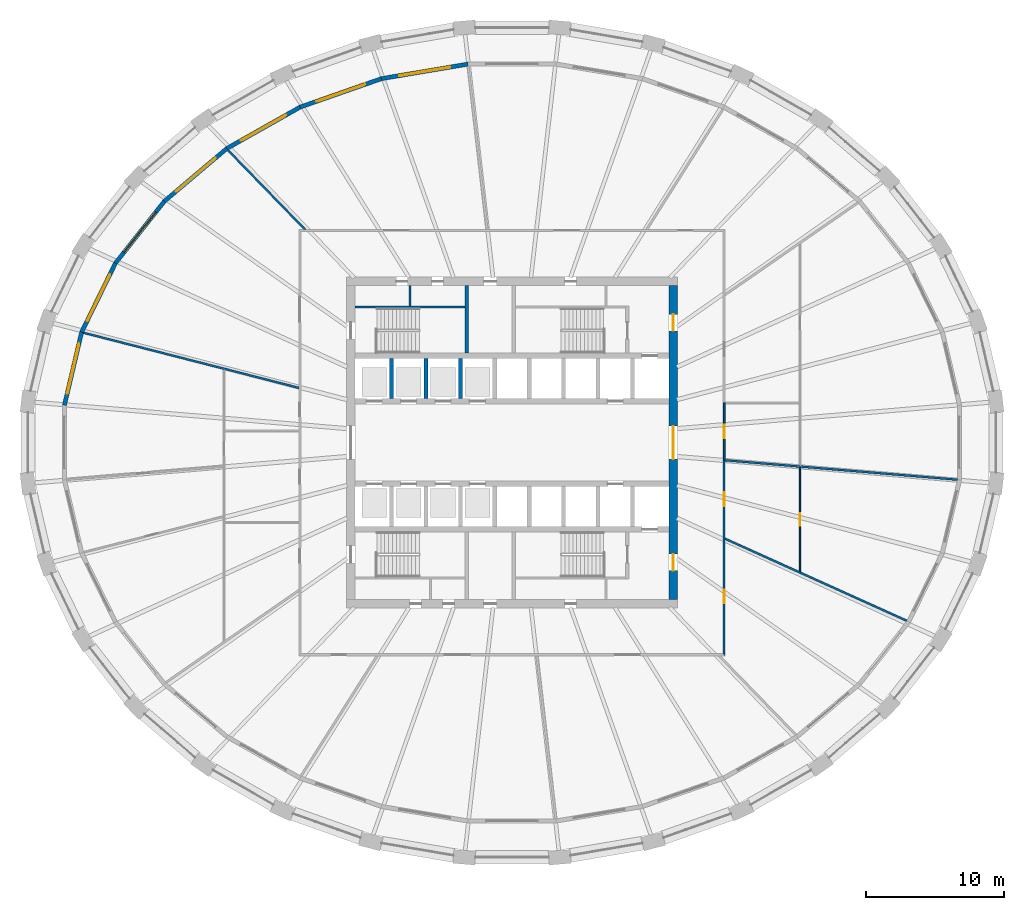
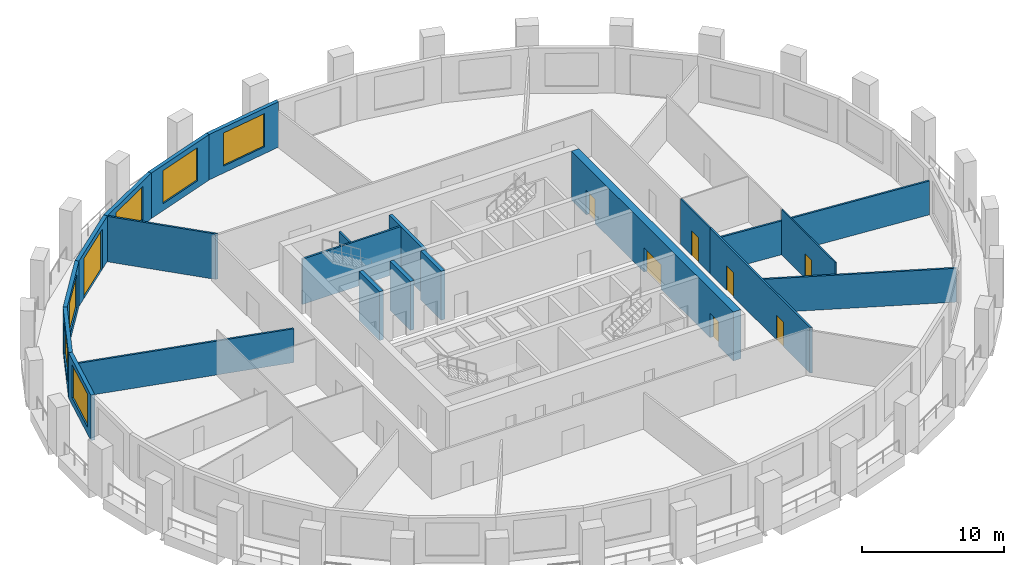
# One storey, part 5 of 10: 21 walls, 8 doors, 6 windows, 14 openings.
"""IFC4 building model written with IfcOpenShell, lengths in metres."""

from ifc_helpers import new_model, si_unit, direction, frame, frame_2d, origin, place, context, subcontext, project, spatial, polyline, rectangle, outline, extrude, material, layer, layer_set, type_object, element, fill, save


model = new_model("IFC4")

# Units and contexts
model_context = context("Model", 3, precision=1e-05, world=origin(), true_north=direction((0.0, 1.0)))
body_context = subcontext(model_context, "Body", "Model", "MODEL_VIEW")
ifc_project = project(units=[si_unit("LENGTHUNIT", "METRE"), si_unit("AREAUNIT", "SQUARE_METRE"), si_unit("VOLUMEUNIT", "CUBIC_METRE"), si_unit("PLANEANGLEUNIT", "RADIAN"), si_unit("MASSUNIT", "GRAM", prefix="KILO")], contexts=[model_context])

# Site, building, storey
site_placement = place(None, origin())
site = spatial("IfcSite", under=ifc_project, at=site_placement, CompositionType="ELEMENT")
building_placement = place(site_placement, origin())
building = spatial("IfcBuilding", under=site, at=building_placement, Name="Halqa Exchange Tower", CompositionType="ELEMENT")
storey_placement = place(building_placement, frame((0.0, 0.0, 104.5)))
storey = spatial("IfcBuildingStorey", under=building, at=storey_placement, Name="L23", CompositionType="ELEMENT", Elevation=104.5)

# Walls
ifc_material_1 = material(Name="Fire-rated gypsum board")
ifc_layer_1 = layer(ifc_material_1, 0.14990234375)
ifc_layer_set_1 = layer_set([ifc_layer_1], Name="Fire-rated gypsum board")
wall_type_1 = type_object("IfcWallType", Name="Fire partition EI 60 150", PredefinedType="PARTITIONING", material=ifc_layer_set_1)
wall_1_placement = place(storey_placement, frame((-31.089599609375, 7.9658203125, 0.0), z_axis=(0.0, 0.0, 1.0), x_axis=(0.968771016809, -0.247957086995, 0.0)))
element("IfcWall", 1, at=wall_1_placement, inside=storey, type_object=wall_type_1, Name="L23-PWL-001", PredefinedType="PARTITIONING", context=body_context, shape_type="SweptSolid", body=[
    extrude(outline(polyline([(16.13671875, -0.074951171875), (16.13671875, -0.0732421875), (16.098876953125, 0.074951171875), (14.3115234375, 0.074951171875), (12.5244140625, 0.074951171875), (10.737060546875, 0.074951171875), (8.949951171875, 0.074951171875), (7.162841796875, 0.074951171875), (5.37548828125, 0.074951171875), (3.58837890625, 0.074951171875), (1.801025390625, 0.074951171875), (0.013916015625, 0.074951171875), (0.0, 0.00830078125), (0.0, -0.0673828125), (0.000244140625, -0.074951171875), (1.793212890625, -0.074951171875), (3.5859375, -0.074951171875), (5.37890625, -0.074951171875), (7.171875, -0.074951171875), (8.96484375, -0.074951171875), (10.7578125, -0.074951171875), (12.55078125, -0.074951171875), (14.34375, -0.074951171875), (16.13671875, -0.074951171875)])), origin(), (0.0, 0.0, 1.0), 2.909912109375),
])
wall_2_placement = place(storey_placement, frame((-14.982421875, 15.4228515625, 0.0), z_axis=(0.0, 0.0, 1.0), x_axis=(-0.696915710248, 0.717153046992, 0.0)))
element("IfcWall", 2, at=wall_2_placement, inside=storey, type_object=wall_type_1, Name="L23-PWL-011", PredefinedType="PARTITIONING", context=body_context, shape_type="SweptSolid", body=[
    extrude(outline(polyline([(8.05859375, 0.074951171875), (6.080322265625, 0.074951171875), (4.10205078125, 0.074951171875), (2.123779296875, 0.074951171875), (0.1455078125, 0.074951171875), (0.0, -0.07470703125), (0.0, -0.074951171875), (1.61181640625, -0.074951171875), (3.223388671875, -0.074951171875), (4.835205078125, -0.074951171875), (6.44677734375, -0.074951171875), (8.05859375, -0.074951171875), (8.05859375, 0.074951171875)])), origin(), (0.0, 0.0, 1.0), 3.89990234375),
])

# Wall, openings, doors
wall_3_placement = place(storey_placement, frame((15.39990234375, -15.47509765625, 0.0), z_axis=(0.0, 0.0, 1.0), x_axis=(0.0, 1.0, 0.0)))
wall_3 = element("IfcWall", 3, at=wall_3_placement, inside=storey, type_object=wall_type_1, Name="L23-PWL-017", PredefinedType="PARTITIONING", context=body_context, shape_type="SweptSolid", body=[
    extrude(outline(polyline([(14.195068359375, 0.074951171875), (12.439453125, 0.074951171875), (10.683837890625, 0.074951171875), (8.92822265625, 0.074951171875), (7.172607421875, 0.074951171875), (5.4169921875, 0.074951171875), (3.661376953125, 0.074951171875), (1.90576171875, 0.074951171875), (0.150146484375, 0.074951171875), (0.000244140625, -0.074951171875), (1.774658203125, -0.074951171875), (3.548828125, -0.074951171875), (5.3232421875, -0.074951171875), (7.09765625, -0.074951171875), (8.8720703125, -0.074951171875), (10.646484375, -0.074951171875), (12.420654296875, -0.074951171875), (14.195068359375, -0.074951171875), (14.195068359375, 0.074951171875)])), origin(), (0.0, 0.0, 1.0), 3.89990234375),
])
opening_1_placement = place(wall_3_placement, frame((3.800048828125, 0.0, 0.0)))
opening_1 = element("IfcOpeningElement", 4, at=opening_1_placement, cuts=wall_3, Name="Opening 07-11", PredefinedType="OPENING", context=body_context, shape_type="SweptSolid", body=[
    extrude(rectangle(XDim=1.0, YDim=2.10009765625, at=frame_2d((0.5, 1.050048828125))), frame((0.0, 0.0869140625, 0.0), z_axis=(0.0, -1.0, 0.0), x_axis=(1.0, 0.0, 0.0)), (0.0, 0.0, 1.0), 0.173828125),
])
opening_2_placement = place(wall_3_placement, frame((10.860107421875, 0.0, 0.0)))
opening_2 = element("IfcOpeningElement", 5, at=opening_2_placement, cuts=wall_3, Name="Opening 07-12", PredefinedType="OPENING", context=body_context, shape_type="SweptSolid", body=[
    extrude(rectangle(XDim=1.0, YDim=2.10009765625, at=frame_2d((0.5, 1.050048828125))), frame((0.0, 0.0869140625, 0.0), z_axis=(0.0, -1.0, 0.0), x_axis=(1.0, 0.0, 0.0)), (0.0, 0.0, 1.0), 0.173828125),
])
ifc_material_2 = material(Name="Steel fire door leaf", Category="steel")
door_type_1 = type_object("IfcDoorType", Name="Fire door FD30S 1000 x 2100", OperationType="SINGLE_SWING_LEFT", PredefinedType="DOOR", material=ifc_material_2)
door_1_placement = place(opening_1_placement, frame((1.0, 0.0, 0.0), z_axis=(0.0, 0.0, 1.0), x_axis=(-1.0, 0.0, 0.0)))
door_1 = element("IfcDoor", 6, at=door_1_placement, inside=storey, type_object=door_type_1, Name="L23-IDR-011", OperationType="SINGLE_SWING_RIGHT", OverallHeight=2.10009765625, OverallWidth=1.0, PredefinedType="DOOR", context=body_context, shape_type="SweptSolid", body=[
    extrude(rectangle(XDim=1.0, YDim=2.10009765625, at=frame_2d((0.5, 1.050048828125))), frame((0.0, 0.02490234375, 0.0), z_axis=(0.0, -1.0, 0.0), x_axis=(1.0, 0.0, 0.0)), (0.0, 0.0, 1.0), 0.050048828125),
])
fill(opening_1, door_1)
door_2_placement = place(opening_2_placement, frame((1.0, 0.0, 0.0), z_axis=(0.0, 0.0, 1.0), x_axis=(-1.0, 0.0, 0.0)))
door_2 = element("IfcDoor", 7, at=door_2_placement, inside=storey, type_object=door_type_1, Name="L23-IDR-012", OperationType="SINGLE_SWING_LEFT", OverallHeight=2.10009765625, OverallWidth=1.0, PredefinedType="DOOR", context=body_context, shape_type="SweptSolid", body=[
    extrude(rectangle(XDim=1.0, YDim=2.10009765625, at=frame_2d((0.5, 1.050048828125))), frame((0.0, 0.02490234375, 0.0), z_axis=(0.0, -1.0, 0.0), x_axis=(1.0, 0.0, 0.0)), (0.0, 0.0, 1.0), 0.050048828125),
])
fill(opening_2, door_2)

# Walls
wall_4_placement = place(storey_placement, frame((15.444091796875, -6.969970703125, 0.0), z_axis=(0.0, 0.0, 1.0), x_axis=(0.911385678544, -0.411553331835, 0.0)))
element("IfcWall", 8, at=wall_4_placement, inside=storey, type_object=wall_type_1, Name="L23-PWL-018", PredefinedType="PARTITIONING", context=body_context, shape_type="SweptSolid", body=[
    extrude(outline(polyline([(0.06787109375, -0.074951171875), (1.868896484375, -0.074951171875), (3.670166015625, -0.074951171875), (5.471435546875, -0.074951171875), (7.2724609375, -0.074951171875), (9.07373046875, -0.074951171875), (10.875, -0.074951171875), (12.676025390625, -0.074951171875), (14.477294921875, -0.074951171875), (14.4951171875, -0.003662109375), (14.4970703125, 0.05810546875), (14.4970703125, 0.074951171875), (12.77783203125, 0.074951171875), (11.058349609375, 0.074951171875), (9.339111328125, 0.074951171875), (7.619873046875, 0.074951171875), (5.900390625, 0.074951171875), (5.898193359375, 0.073974609375), (5.897705078125, 0.074951171875), (3.931884765625, 0.074951171875), (1.9658203125, 0.074951171875), (0.0, 0.074951171875), (0.06787109375, -0.074951171875)])), origin(), (0.0, 0.0, 1.0), 2.909912109375),
])
wall_5_placement = place(storey_placement, frame((15.453857421875, -1.284423828125, 0.0), z_axis=(0.0, 0.0, 1.0), x_axis=(0.996525641357, -0.083286530234, 0.0)))
element("IfcWall", 9, at=wall_5_placement, inside=storey, type_object=wall_type_1, Name="L23-PWL-019", PredefinedType="PARTITIONING", context=body_context, shape_type="SweptSolid", body=[
    extrude(outline(polyline([(0.027587890625, -0.074951171875), (1.905029296875, -0.074951171875), (3.78271484375, -0.074951171875), (5.66015625, -0.074951171875), (7.537841796875, -0.074951171875), (9.41552734375, -0.074951171875), (11.29296875, -0.074951171875), (13.170654296875, -0.074951171875), (15.04833984375, -0.074951171875), (16.92578125, -0.074951171875), (16.931396484375, -0.03759765625), (16.931396484375, 0.074951171875), (15.050048828125, 0.074951171875), (13.1689453125, 0.074951171875), (11.28759765625, 0.074951171875), (9.40625, 0.074951171875), (7.525146484375, 0.074951171875), (5.643798828125, 0.074951171875), (3.762451171875, 0.074951171875), (1.88134765625, 0.074951171875), (0.0, 0.074951171875), (0.0, 0.07373046875), (0.005859375, 0.0048828125), (0.020751953125, 0.006103515625), (0.027587890625, -0.074951171875)])), origin(), (0.0, 0.0, 1.0), 2.909912109375),
])

# Wall, opening, door
ifc_material_3 = material(Name="Fire-rated glazing", Category="glass")
ifc_layer_2 = layer(ifc_material_3, 0.1201171875)
ifc_layer_set_2 = layer_set([ifc_layer_2], Name="Fire-rated glazing")
wall_type_2 = type_object("IfcWallType", Name="Glazed fire partition EI 60 120", PredefinedType="PARTITIONING", material=ifc_layer_set_2)
wall_6_placement = place(storey_placement, frame((15.39990234375, 2.8798828125, 0.0), z_axis=(0.0, 0.0, 1.0), x_axis=(0.0, -1.0, 0.0)))
wall_6 = element("IfcWall", 10, at=wall_6_placement, inside=storey, type_object=wall_type_2, Name="L23-PWL-020", PredefinedType="PARTITIONING", context=body_context, shape_type="SweptSolid", body=[
    extrude(rectangle(XDim=4.159912109375, YDim=0.1201171875, at=frame_2d((2.080078125, 0.0))), origin(), (0.0, 0.0, 1.0), 3.89990234375),
])
opening_3_placement = place(wall_6_placement, frame((1.580078125, 0.0, 0.0)))
opening_3 = element("IfcOpeningElement", 11, at=opening_3_placement, cuts=wall_6, Name="Opening 07-13", PredefinedType="OPENING", context=body_context, shape_type="SweptSolid", body=[
    extrude(rectangle(XDim=1.0, YDim=2.10009765625, at=frame_2d((0.5, 1.050048828125))), frame((0.0, 0.072021484375, 0.0), z_axis=(0.0, -1.0, 0.0), x_axis=(1.0, 0.0, 0.0)), (0.0, 0.0, 1.0), 0.14404296875),
])
door_3_placement = place(opening_3_placement, origin())
door_3 = element("IfcDoor", 12, at=door_3_placement, inside=storey, type_object=door_type_1, Name="L23-IDR-013", OperationType="SINGLE_SWING_RIGHT", OverallHeight=2.10009765625, OverallWidth=1.0, PredefinedType="DOOR", context=body_context, shape_type="SweptSolid", body=[
    extrude(rectangle(XDim=1.0, YDim=2.10009765625, at=frame_2d((0.5, 1.050048828125))), frame((0.0, 0.02490234375, 0.0), z_axis=(0.0, -1.0, 0.0), x_axis=(1.0, 0.0, 0.0)), (0.0, 0.0, 1.0), 0.050048828125),
])
fill(opening_3, door_3)

ifc_material_4 = material(Name="Gypsum board")
ifc_layer_3 = layer(ifc_material_4, 0.10009765625)
ifc_layer_set_3 = layer_set([ifc_layer_3], Name="Gypsum board")
wall_type_3 = type_object("IfcWallType", Name="Partition 100 gypsum", PredefinedType="PARTITIONING", material=ifc_layer_set_3)
wall_7_placement = place(storey_placement, frame((20.89990234375, -1.81103515625, 0.0), z_axis=(0.0, 0.0, 1.0), x_axis=(0.0, -1.0, 0.0)))
wall_7 = element("IfcWall", 13, at=wall_7_placement, inside=storey, type_object=wall_type_3, Name="L23-PWL-024", PredefinedType="PARTITIONING", context=body_context, shape_type="SweptSolid", body=[
    extrude(outline(polyline([(0.0, -0.050048828125), (1.87939453125, -0.050048828125), (3.7587890625, -0.050048828125), (5.63818359375, -0.050048828125), (7.517578125, -0.050048828125), (7.5625, 0.04931640625), (7.5625, 0.050048828125), (5.673828125, 0.050048828125), (3.785400390625, 0.050048828125), (1.896728515625, 0.050048828125), (0.008056640625, 0.050048828125), (0.0, -0.046630859375), (0.0, -0.050048828125)])), origin(), (0.0, 0.0, 1.0), 3.89990234375),
])
opening_4_placement = place(wall_7_placement, frame((3.323974609375, 0.0, 0.0)))
opening_4 = element("IfcOpeningElement", 14, at=opening_4_placement, cuts=wall_7, Name="Opening 07-18", PredefinedType="OPENING", context=body_context, shape_type="SweptSolid", body=[
    extrude(rectangle(XDim=0.89990234375, YDim=2.10009765625, at=frame_2d((0.449951171875, 1.050048828125))), frame((0.0, 0.06201171875, 0.0), z_axis=(0.0, -1.0, 0.0), x_axis=(1.0, 0.0, 0.0)), (0.0, 0.0, 1.0), 0.1240234375),
])
ifc_material_5 = material(Name="Timber door leaf", Category="wood")
door_type_2 = type_object("IfcDoorType", Name="Door 900 x 2100", OperationType="SINGLE_SWING_LEFT", PredefinedType="DOOR", material=ifc_material_5)
door_4_placement = place(opening_4_placement, frame((0.89990234375, 0.0, 0.0), z_axis=(0.0, 0.0, 1.0), x_axis=(-1.0, 0.0, 0.0)))
door_4 = element("IfcDoor", 15, at=door_4_placement, inside=storey, type_object=door_type_2, Name="L23-IDR-018", OperationType="SINGLE_SWING_LEFT", OverallHeight=2.10009765625, OverallWidth=0.89990234375, PredefinedType="DOOR", context=body_context, shape_type="SweptSolid", body=[
    extrude(rectangle(XDim=0.89990234375, YDim=2.10009765625, at=frame_2d((0.449951171875, 1.050048828125))), frame((0.0, 0.02490234375, 0.0), z_axis=(0.0, -1.0, 0.0), x_axis=(1.0, 0.0, 0.0)), (0.0, 0.0, 1.0), 0.050048828125),
])
fill(opening_4, door_4)

# Walls
ifc_layer_4 = layer(ifc_material_4, 0.14990234375)
ifc_layer_set_4 = layer_set([ifc_layer_4], Name="Gypsum board")
wall_type_4 = type_object("IfcWallType", Name="Penthouse riser wall 150 gypsum", PredefinedType="PARTITIONING", material=ifc_layer_set_4)
wall_8_placement = place(storey_placement, frame((-7.39990234375, 9.89990234375, 0.0), z_axis=(0.0, 0.0, 1.0), x_axis=(0.0, 1.0, 0.0)))
element("IfcWall", 16, at=wall_8_placement, inside=storey, type_object=wall_type_4, Name="Partition W7.400 N", PredefinedType="PARTITIONING", context=body_context, shape_type="SweptSolid", body=[
    extrude(rectangle(XDim=1.5, YDim=0.14990234375, at=frame_2d((0.75, 0.0))), origin(), (0.0, 0.0, 1.0), 3.89990234375),
])
ifc_material_6 = material(Name="Concrete C60/75", Category="concrete")
ifc_layer_5 = layer(ifc_material_6, 0.300048828125)
ifc_layer_set_5 = layer_set([ifc_layer_5], Name="Concrete C60/75")
wall_type_5 = type_object("IfcWallType", Name="RC core wall 300", PredefinedType="SHEAR", material=ifc_layer_set_5)
for number, where, z_axis, x_axis, name in (
    (17, (-8.75, 3.199951171875, 0.0), (0.0, 0.0, 1.0), (0.0, 1.0, 0.0), "Shaft divider N1"),
    (18, (-6.25, 3.199951171875, 0.0), (0.0, 0.0, 1.0), (0.0, 1.0, 0.0), "Shaft divider N2"),
    (19, (-3.75, 3.199951171875, 0.0), (0.0, 0.0, 1.0), (0.0, 1.0, 0.0), "Shaft divider N3"),
):
    element("IfcWall", number, at=place(storey_placement, frame(where, z_axis=z_axis, x_axis=x_axis)), inside=storey, type_object=wall_type_5, Name=name, PredefinedType="SHEAR", context=body_context, shape_type="SweptSolid", body=[
        extrude(rectangle(XDim=2.900146484375, YDim=0.300048828125, at=frame_2d((1.4501953125, 0.0))), origin(), (0.0, 0.0, 1.0), 4.199951171875),
    ])

# Wall, openings, doors
ifc_material_7 = material(Name="Concrete C70/85", Category="concrete")
ifc_layer_6 = layer(ifc_material_7, 0.60009765625)
ifc_layer_set_6 = layer_set([ifc_layer_6], Name="Concrete C70/85")
wall_type_6 = type_object("IfcWallType", Name="RC core wall 600 C70/85", PredefinedType="SHEAR", material=ifc_layer_set_6)
wall_9_placement = place(storey_placement, frame((11.699951171875, -11.39990234375, 0.0), z_axis=(0.0, 0.0, 1.0), x_axis=(0.0, 1.0, 0.0)))
wall_9 = element("IfcWall", 20, at=wall_9_placement, inside=storey, type_object=wall_type_6, Name="Core wall east", PredefinedType="SHEAR", context=body_context, shape_type="SweptSolid", body=[
    extrude(rectangle(XDim=22.7998046875, YDim=0.60009765625, at=frame_2d((11.39990234375, 0.0))), origin(), (0.0, 0.0, 1.0), 4.199951171875),
])
opening_5_placement = place(wall_9_placement, frame((10.199951171875, 0.0, 0.0)))
opening_5 = element("IfcOpeningElement", 21, at=opening_5_placement, cuts=wall_9, Name="Opening T07-C14", PredefinedType="OPENING", context=body_context, shape_type="SweptSolid", body=[
    extrude(rectangle(XDim=2.39990234375, YDim=2.10009765625, at=frame_2d((1.199951171875, 1.050048828125))), frame((0.0, 0.31201171875, 0.0), z_axis=(0.0, -1.0, 0.0), x_axis=(1.0, 0.0, 0.0)), (0.0, 0.0, 1.0), 0.6240234375),
])
opening_6_placement = place(wall_9_placement, frame((19.5, 0.0, 0.0)))
opening_6 = element("IfcOpeningElement", 22, at=opening_6_placement, cuts=wall_9, Name="Opening T07-C19", PredefinedType="OPENING", context=body_context, shape_type="SweptSolid", body=[
    extrude(rectangle(XDim=1.199951171875, YDim=2.10009765625, at=frame_2d((0.60009765625, 1.050048828125))), frame((0.0, 0.31201171875, 0.0), z_axis=(0.0, -1.0, 0.0), x_axis=(1.0, 0.0, 0.0)), (0.0, 0.0, 1.0), 0.6240234375),
])
opening_7_placement = place(wall_9_placement, frame((2.10009765625, 0.0, 0.0)))
opening_7 = element("IfcOpeningElement", 23, at=opening_7_placement, cuts=wall_9, Name="Opening T07-C20", PredefinedType="OPENING", context=body_context, shape_type="SweptSolid", body=[
    extrude(rectangle(XDim=1.199951171875, YDim=2.10009765625, at=frame_2d((0.60009765625, 1.050048828125))), frame((0.0, 0.31201171875, 0.0), z_axis=(0.0, -1.0, 0.0), x_axis=(1.0, 0.0, 0.0)), (0.0, 0.0, 1.0), 0.6240234375),
])
door_type_3 = type_object("IfcDoorType", Name="Firefighting lobby door FD90 1200 x 2100", OperationType="SINGLE_SWING_RIGHT", PredefinedType="DOOR", material=ifc_material_2)
door_5_placement = place(opening_6_placement, origin())
door_5 = element("IfcDoor", 24, at=door_5_placement, inside=storey, type_object=door_type_3, Name="Firefighting lobby door", OperationType="SINGLE_SWING_RIGHT", OverallHeight=2.10009765625, OverallWidth=1.199951171875, PredefinedType="DOOR", context=body_context, shape_type="SweptSolid", body=[
    extrude(rectangle(XDim=1.199951171875, YDim=2.10009765625, at=frame_2d((0.60009765625, 1.050048828125))), frame((0.0, 0.02490234375, 0.0), z_axis=(0.0, -1.0, 0.0), x_axis=(1.0, 0.0, 0.0)), (0.0, 0.0, 1.0), 0.050048828125),
])
fill(opening_6, door_5)
door_6_placement = place(opening_7_placement, origin())
door_6 = element("IfcDoor", 25, at=door_6_placement, inside=storey, type_object=door_type_3, Name="Firefighting lobby door", OperationType="SINGLE_SWING_LEFT", OverallHeight=2.10009765625, OverallWidth=1.199951171875, PredefinedType="DOOR", context=body_context, shape_type="SweptSolid", body=[
    extrude(rectangle(XDim=1.199951171875, YDim=2.10009765625, at=frame_2d((0.60009765625, 1.050048828125))), frame((0.0, 0.02490234375, 0.0), z_axis=(0.0, -1.0, 0.0), x_axis=(1.0, 0.0, 0.0)), (0.0, 0.0, 1.0), 0.050048828125),
])
fill(opening_7, door_6)
door_type_4 = type_object("IfcDoorType", Name="Lobby double door FD60 2400 x 2100", OperationType="DOUBLE_DOOR_SINGLE_SWING", PredefinedType="DOOR", material=ifc_material_2)
door_7_placement = place(opening_5_placement, origin())
door_7 = element("IfcDoor", 26, at=door_7_placement, inside=storey, type_object=door_type_4, Name="Lift lobby double door", OperationType="DOUBLE_DOOR_SINGLE_SWING", OverallHeight=2.10009765625, OverallWidth=2.39990234375, PredefinedType="DOOR", context=body_context, shape_type="SweptSolid", body=[
    extrude(rectangle(XDim=2.39990234375, YDim=2.10009765625, at=frame_2d((1.199951171875, 1.050048828125))), frame((0.0, 0.02490234375, 0.0), z_axis=(0.0, -1.0, 0.0), x_axis=(1.0, 0.0, 0.0)), (0.0, 0.0, 1.0), 0.050048828125),
])
fill(opening_5, door_7)

# Walls
ifc_material_8 = material(Name="Concrete C30/37", Category="concrete")
ifc_layer_7 = layer(ifc_material_8, 0.14990234375)
ifc_layer_set_7 = layer_set([ifc_layer_7], Name="Concrete C30/37")
wall_type_7 = type_object("IfcWallType", Name="RC stair wall 150 C30/37", PredefinedType="SHEAR", material=ifc_layer_set_7)
wall_10_placement = place(storey_placement, frame((-11.39990234375, 9.824951171875, 0.0), z_axis=(0.0, 0.0, 1.0), x_axis=(1.0, 0.0, 0.0)))
element("IfcWall", 27, at=wall_10_placement, inside=storey, type_object=wall_type_7, Name="Stair ST1 north wall N", PredefinedType="SHEAR", context=body_context, shape_type="SweptSolid", body=[
    extrude(rectangle(XDim=8.0, YDim=0.14990234375, at=frame_2d((4.0, 0.0))), origin(), (0.0, 0.0, 1.0), 3.89990234375),
])
ifc_layer_8 = layer(ifc_material_8, 0.25)
ifc_layer_set_8 = layer_set([ifc_layer_8], Name="Concrete C30/37")
wall_type_8 = type_object("IfcWallType", Name="RC stair wall 250 C30/37", PredefinedType="SHEAR", material=ifc_layer_set_8)
wall_11_placement = place(storey_placement, frame((-3.27490234375, 6.5, 0.0), z_axis=(0.0, 0.0, 1.0), x_axis=(0.0, 1.0, 0.0)))
element("IfcWall", 28, at=wall_11_placement, inside=storey, type_object=wall_type_8, Name="Stair ST1 east wall N", PredefinedType="SHEAR", context=body_context, shape_type="SweptSolid", body=[
    extrude(rectangle(XDim=4.89990234375, YDim=0.25, at=frame_2d((2.449951171875, 0.0))), origin(), (0.0, 0.0, 1.0), 3.89990234375),
])

# Wall, opening, window
ifc_material_9 = material(Name="Limestone cladding", Category="masonry")
ifc_layer_9 = layer(ifc_material_9, 0.0400390625)
ifc_material_10 = material(Name="Ventilated cavity")
ifc_layer_10 = layer(ifc_material_10, 0.030029296875, ventilated=True)
ifc_material_11 = material(Name="Mineral wool insulation")
ifc_layer_11 = layer(ifc_material_11, 0.10009765625)
ifc_layer_12 = layer(ifc_material_8, 0.10009765625)
ifc_material_12 = material(Name="Internal plaster")
ifc_layer_13 = layer(ifc_material_12, 0.030029296875)
ifc_layer_set_9 = layer_set([ifc_layer_9, ifc_layer_10, ifc_layer_11, ifc_layer_12, ifc_layer_13], Name="Stone-faced insulated wall 300")
wall_type_9 = type_object("IfcWallType", Name="Stone-faced insulated wall 300", PredefinedType="STANDARD", material=ifc_layer_set_9)
wall_12_placement = place(storey_placement, frame((-3.197021484375, 27.4658203125, 0.0), z_axis=(0.0, 0.0, 1.0), x_axis=(-0.986178310488, -0.165687476666, 0.0)))
wall_12 = element("IfcWall", 29, at=wall_12_placement, inside=storey, type_object=wall_type_9, Name="Glass-line wall 9", PredefinedType="STANDARD", context=body_context, shape_type="SweptSolid", body=[
    extrude(outline(polyline([(-0.012451171875, -0.14990234375), (6.372314453125, -0.14990234375), (6.346923828125, 0.14990234375), (0.012451171875, 0.14990234375), (-0.012451171875, -0.14990234375)])), origin(), (0.0, 0.0, 1.0), 3.89990234375),
])
opening_8_placement = place(wall_12_placement, frame((1.3046875, 0.0, 0.60009765625)))
opening_8 = element("IfcOpeningElement", 30, at=opening_8_placement, cuts=wall_12, Name="Opening W-F2-09", PredefinedType="OPENING", context=body_context, shape_type="SweptSolid", body=[
    extrude(rectangle(XDim=3.75, YDim=2.85009765625, at=frame_2d((1.875, 1.425048828125))), frame((0.0, 0.162109375, 0.0), z_axis=(0.0, -1.0, 0.0), x_axis=(1.0, 0.0, 0.0)), (0.0, 0.0, 1.0), 0.323974609375),
])
ifc_material_13 = material(Name="Clear low-emissivity glass in aluminium frame", Category="aluminium")
window_type = type_object("IfcWindowType", Name="Fixed clear glazed window 3750 x 2850", PartitioningType="TRIPLE_PANEL_VERTICAL", PredefinedType="WINDOW", material=ifc_material_13)
window_1_placement = place(opening_8_placement, origin())
window_1 = element("IfcWindow", 31, at=window_1_placement, inside=storey, type_object=window_type, Name="Window 2", OverallHeight=2.85009765625, OverallWidth=3.75, PartitioningType="TRIPLE_PANEL_VERTICAL", PredefinedType="WINDOW", context=body_context, shape_type="SweptSolid", body=[
    extrude(rectangle(XDim=3.75, YDim=2.85009765625, at=frame_2d((1.875, 1.425048828125))), frame((0.0, 0.030029296875, 0.0), z_axis=(0.0, -1.0, 0.0), x_axis=(1.0, 0.0, 0.0)), (0.0, 0.0, 1.0), 0.06005859375),
])
fill(opening_8, window_1)

wall_13_placement = place(storey_placement, frame((-9.46875, 26.412109375, 0.0), z_axis=(0.0, 0.0, 1.0), x_axis=(-0.943866868202, -0.330326104193, 0.0)))
wall_13 = element("IfcWall", 32, at=wall_13_placement, inside=storey, type_object=wall_type_9, Name="Glass-line wall 10", PredefinedType="STANDARD", context=body_context, shape_type="SweptSolid", body=[
    extrude(outline(polyline([(-0.0126953125, -0.14990234375), (6.2734375, -0.14990234375), (6.24658203125, 0.14990234375), (0.0126953125, 0.14990234375), (-0.0126953125, -0.14990234375)])), origin(), (0.0, 0.0, 1.0), 3.89990234375),
])
opening_9_placement = place(wall_13_placement, frame((1.255126953125, 0.0, 0.60009765625)))
opening_9 = element("IfcOpeningElement", 33, at=opening_9_placement, cuts=wall_13, Name="Opening W-F2-10", PredefinedType="OPENING", context=body_context, shape_type="SweptSolid", body=[
    extrude(rectangle(XDim=3.75, YDim=2.85009765625, at=frame_2d((1.875, 1.425048828125))), frame((0.0, 0.162109375, 0.0), z_axis=(0.0, -1.0, 0.0), x_axis=(1.0, 0.0, 0.0)), (0.0, 0.0, 1.0), 0.323974609375),
])
window_2_placement = place(opening_9_placement, origin())
window_2 = element("IfcWindow", 34, at=window_2_placement, inside=storey, type_object=window_type, Name="Window 2", OverallHeight=2.85009765625, OverallWidth=3.75, PartitioningType="TRIPLE_PANEL_VERTICAL", PredefinedType="WINDOW", context=body_context, shape_type="SweptSolid", body=[
    extrude(rectangle(XDim=3.75, YDim=2.85009765625, at=frame_2d((1.875, 1.425048828125))), frame((0.0, 0.030029296875, 0.0), z_axis=(0.0, -1.0, 0.0), x_axis=(1.0, 0.0, 0.0)), (0.0, 0.0, 1.0), 0.06005859375),
])
fill(opening_9, window_2)

wall_14_placement = place(storey_placement, frame((-15.37744140625, 24.34423828125, 0.0), z_axis=(0.0, 0.0, 1.0), x_axis=(-0.870828448417, -0.491587035455, 0.0)))
wall_14 = element("IfcWall", 35, at=wall_14_placement, inside=storey, type_object=wall_type_9, Name="Glass-line wall 11", PredefinedType="STANDARD", context=body_context, shape_type="SweptSolid", body=[
    extrude(outline(polyline([(-0.013427734375, -0.14990234375), (6.122802734375, -0.14990234375), (6.094482421875, 0.14990234375), (0.013427734375, 0.14990234375), (-0.013427734375, -0.14990234375)])), origin(), (0.0, 0.0, 1.0), 3.89990234375),
])
opening_10_placement = place(wall_14_placement, frame((1.17919921875, 0.0, 0.60009765625)))
opening_10 = element("IfcOpeningElement", 36, at=opening_10_placement, cuts=wall_14, Name="Opening W-F2-11", PredefinedType="OPENING", context=body_context, shape_type="SweptSolid", body=[
    extrude(rectangle(XDim=3.75, YDim=2.85009765625, at=frame_2d((1.875, 1.425048828125))), frame((0.0, 0.162109375, 0.0), z_axis=(0.0, -1.0, 0.0), x_axis=(1.0, 0.0, 0.0)), (0.0, 0.0, 1.0), 0.323974609375),
])
window_3_placement = place(opening_10_placement, origin())
window_3 = element("IfcWindow", 37, at=window_3_placement, inside=storey, type_object=window_type, Name="Window 2", OverallHeight=2.85009765625, OverallWidth=3.75, PartitioningType="TRIPLE_PANEL_VERTICAL", PredefinedType="WINDOW", context=body_context, shape_type="SweptSolid", body=[
    extrude(rectangle(XDim=3.75, YDim=2.85009765625, at=frame_2d((1.875, 1.425048828125))), frame((0.0, 0.030029296875, 0.0), z_axis=(0.0, -1.0, 0.0), x_axis=(1.0, 0.0, 0.0)), (0.0, 0.0, 1.0), 0.06005859375),
])
fill(opening_10, window_3)

# Wall, opening, door
wall_15_placement = place(storey_placement, frame((-20.697021484375, 21.34130859375, 0.0), z_axis=(0.0, 0.0, 1.0), x_axis=(-0.763894031266, -0.645341699409, 0.0)))
wall_15 = element("IfcWall", 38, at=wall_15_placement, inside=storey, type_object=wall_type_9, Name="Glass-line wall 12", PredefinedType="STANDARD", context=body_context, shape_type="SweptSolid", body=[
    extrude(outline(polyline([(-0.01416015625, -0.14990234375), (5.93994140625, -0.14990234375), (5.90966796875, 0.14990234375), (0.01416015625, 0.14990234375), (-0.01416015625, -0.14990234375)])), origin(), (0.0, 0.0, 1.0), 3.89990234375),
])
opening_11_placement = place(wall_15_placement, frame((1.08740234375, 0.0, 0.0)))
opening_11 = element("IfcOpeningElement", 39, at=opening_11_placement, cuts=wall_15, Name="Opening LG-F2-03", PredefinedType="OPENING", context=body_context, shape_type="SweptSolid", body=[
    extrude(rectangle(XDim=3.75, YDim=3.449951171875, at=frame_2d((1.875, 1.72509765625))), frame((0.0, 0.162109375, 0.0), z_axis=(0.0, -1.0, 0.0), x_axis=(1.0, 0.0, 0.0)), (0.0, 0.0, 1.0), 0.323974609375),
])
door_type_5 = type_object("IfcDoorType", Name="Glazed sliding loggia door 3750 x 3450", OperationType="DOUBLE_DOOR_SLIDING", PredefinedType="DOOR", material=ifc_material_13)
door_8_placement = place(opening_11_placement, origin())
door_8 = element("IfcDoor", 40, at=door_8_placement, inside=storey, type_object=door_type_5, Name="Loggia door 3", OperationType="DOUBLE_DOOR_SLIDING", OverallHeight=3.449951171875, OverallWidth=3.75, PredefinedType="DOOR", context=body_context, shape_type="SweptSolid", body=[
    extrude(rectangle(XDim=3.75, YDim=3.449951171875, at=frame_2d((1.875, 1.72509765625))), frame((0.0, 0.02490234375, 0.0), z_axis=(0.0, -1.0, 0.0), x_axis=(1.0, 0.0, 0.0)), (0.0, 0.0, 1.0), 0.050048828125),
])
fill(opening_11, door_8)

# Wall, opening, window
wall_16_placement = place(storey_placement, frame((-25.222900390625, 17.517822265625, 0.0), z_axis=(0.0, 0.0, 1.0), x_axis=(-0.620329992039, -0.784340934146, 0.0)))
wall_16 = element("IfcWall", 41, at=wall_16_placement, inside=storey, type_object=wall_type_9, Name="Glass-line wall 13", PredefinedType="STANDARD", context=body_context, shape_type="SweptSolid", body=[
    extrude(outline(polyline([(-0.01513671875, -0.14990234375), (5.75146484375, -0.14990234375), (5.71923828125, 0.14990234375), (0.01513671875, 0.14990234375), (-0.01513671875, -0.14990234375)])), origin(), (0.0, 0.0, 1.0), 3.89990234375),
])
opening_12_placement = place(wall_16_placement, frame((0.99267578125, 0.0, 0.60009765625)))
opening_12 = element("IfcOpeningElement", 42, at=opening_12_placement, cuts=wall_16, Name="Opening W-F2-13", PredefinedType="OPENING", context=body_context, shape_type="SweptSolid", body=[
    extrude(rectangle(XDim=3.75, YDim=2.85009765625, at=frame_2d((1.875, 1.425048828125))), frame((0.0, 0.162109375, 0.0), z_axis=(0.0, -1.0, 0.0), x_axis=(1.0, 0.0, 0.0)), (0.0, 0.0, 1.0), 0.323974609375),
])
window_4_placement = place(opening_12_placement, origin())
window_4 = element("IfcWindow", 43, at=window_4_placement, inside=storey, type_object=window_type, Name="Window 2", OverallHeight=2.85009765625, OverallWidth=3.75, PartitioningType="TRIPLE_PANEL_VERTICAL", PredefinedType="WINDOW", context=body_context, shape_type="SweptSolid", body=[
    extrude(rectangle(XDim=3.75, YDim=2.85009765625, at=frame_2d((1.875, 1.425048828125))), frame((0.0, 0.030029296875, 0.0), z_axis=(0.0, -1.0, 0.0), x_axis=(1.0, 0.0, 0.0)), (0.0, 0.0, 1.0), 0.06005859375),
])
fill(opening_12, window_4)

wall_17_placement = place(storey_placement, frame((-28.78076171875, 13.019287109375, 0.0), z_axis=(0.0, 0.0, 1.0), x_axis=(-0.440238988749, -0.897880633929, 0.0)))
wall_17 = element("IfcWall", 44, at=wall_17_placement, inside=storey, type_object=wall_type_9, Name="Glass-line wall 14", PredefinedType="STANDARD", context=body_context, shape_type="SweptSolid", body=[
    extrude(outline(polyline([(-0.01611328125, -0.14990234375), (5.58642578125, -0.14990234375), (5.552734375, 0.14990234375), (0.01611328125, 0.14990234375), (-0.01611328125, -0.14990234375)])), origin(), (0.0, 0.0, 1.0), 3.89990234375),
])
opening_13_placement = place(wall_17_placement, frame((0.90966796875, 0.0, 0.60009765625)))
opening_13 = element("IfcOpeningElement", 45, at=opening_13_placement, cuts=wall_17, Name="Opening W-F2-14", PredefinedType="OPENING", context=body_context, shape_type="SweptSolid", body=[
    extrude(rectangle(XDim=3.75, YDim=2.85009765625, at=frame_2d((1.875, 1.425048828125))), frame((0.0, 0.162109375, 0.0), z_axis=(0.0, -1.0, 0.0), x_axis=(1.0, 0.0, 0.0)), (0.0, 0.0, 1.0), 0.323974609375),
])
window_5_placement = place(opening_13_placement, origin())
window_5 = element("IfcWindow", 46, at=window_5_placement, inside=storey, type_object=window_type, Name="Window 2", OverallHeight=2.85009765625, OverallWidth=3.75, PartitioningType="TRIPLE_PANEL_VERTICAL", PredefinedType="WINDOW", context=body_context, shape_type="SweptSolid", body=[
    extrude(rectangle(XDim=3.75, YDim=2.85009765625, at=frame_2d((1.875, 1.425048828125))), frame((0.0, 0.030029296875, 0.0), z_axis=(0.0, -1.0, 0.0), x_axis=(1.0, 0.0, 0.0)), (0.0, 0.0, 1.0), 0.06005859375),
])
fill(opening_13, window_5)

wall_18_placement = place(storey_placement, frame((-31.232666015625, 8.0185546875, 0.0), z_axis=(0.0, 0.0, 1.0), x_axis=(-0.229193964616, -0.973380771632, 0.0)))
wall_18 = element("IfcWall", 47, at=wall_18_placement, inside=storey, type_object=wall_type_9, Name="Glass-line wall 15", PredefinedType="STANDARD", context=body_context, shape_type="SweptSolid", body=[
    extrude(outline(polyline([(-0.016845703125, -0.14990234375), (5.473388671875, -0.14990234375), (5.438720703125, 0.14990234375), (0.016845703125, 0.14990234375), (-0.016845703125, -0.14990234375)])), origin(), (0.0, 0.0, 1.0), 3.89990234375),
])
opening_14_placement = place(wall_18_placement, frame((0.85302734375, 0.0, 0.60009765625)))
opening_14 = element("IfcOpeningElement", 48, at=opening_14_placement, cuts=wall_18, Name="Opening W-F2-15", PredefinedType="OPENING", context=body_context, shape_type="SweptSolid", body=[
    extrude(rectangle(XDim=3.75, YDim=2.85009765625, at=frame_2d((1.875, 1.425048828125))), frame((0.0, 0.162109375, 0.0), z_axis=(0.0, -1.0, 0.0), x_axis=(1.0, 0.0, 0.0)), (0.0, 0.0, 1.0), 0.323974609375),
])
window_6_placement = place(opening_14_placement, origin())
window_6 = element("IfcWindow", 49, at=window_6_placement, inside=storey, type_object=window_type, Name="Window 2", OverallHeight=2.85009765625, OverallWidth=3.75, PartitioningType="TRIPLE_PANEL_VERTICAL", PredefinedType="WINDOW", context=body_context, shape_type="SweptSolid", body=[
    extrude(rectangle(XDim=3.75, YDim=2.85009765625, at=frame_2d((1.875, 1.425048828125))), frame((0.0, 0.030029296875, 0.0), z_axis=(0.0, -1.0, 0.0), x_axis=(1.0, 0.0, 0.0)), (0.0, 0.0, 1.0), 0.06005859375),
])
fill(opening_14, window_6)

save(model, "model.ifc")
